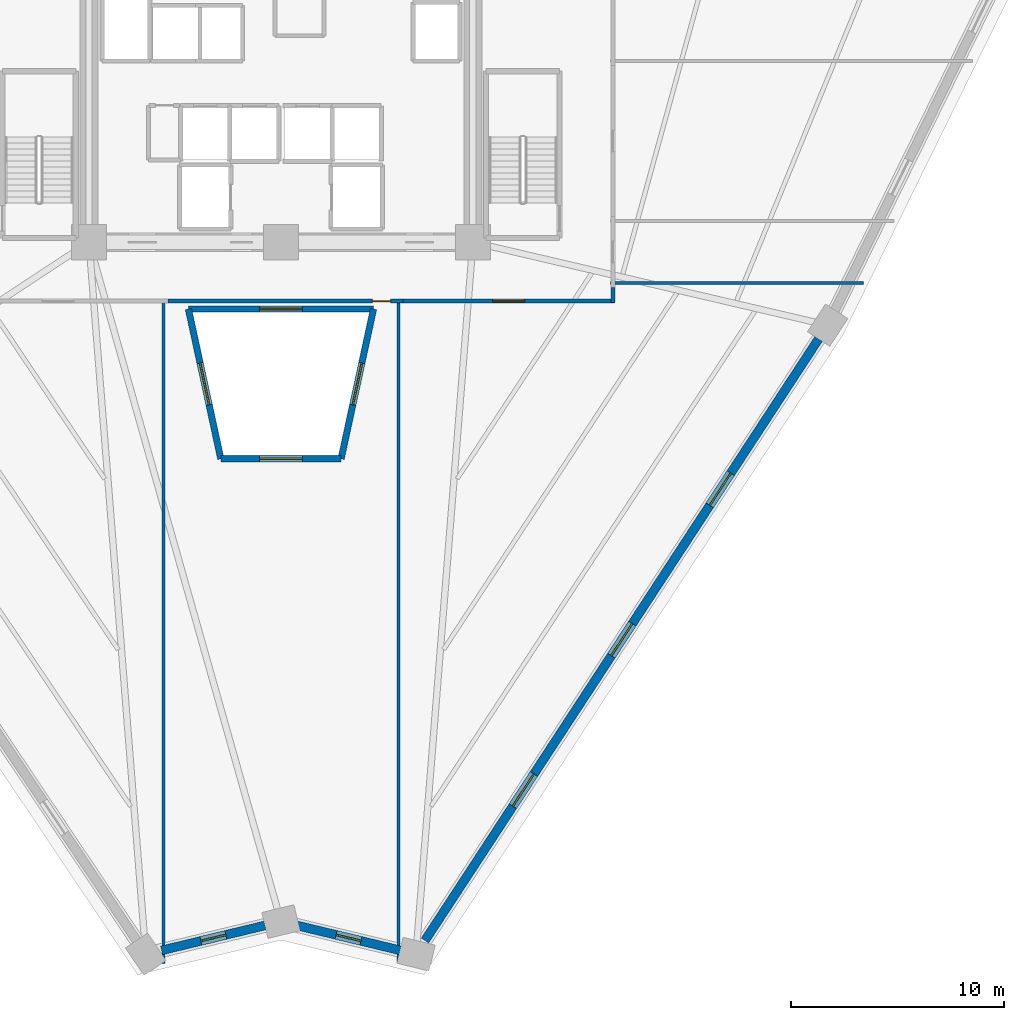
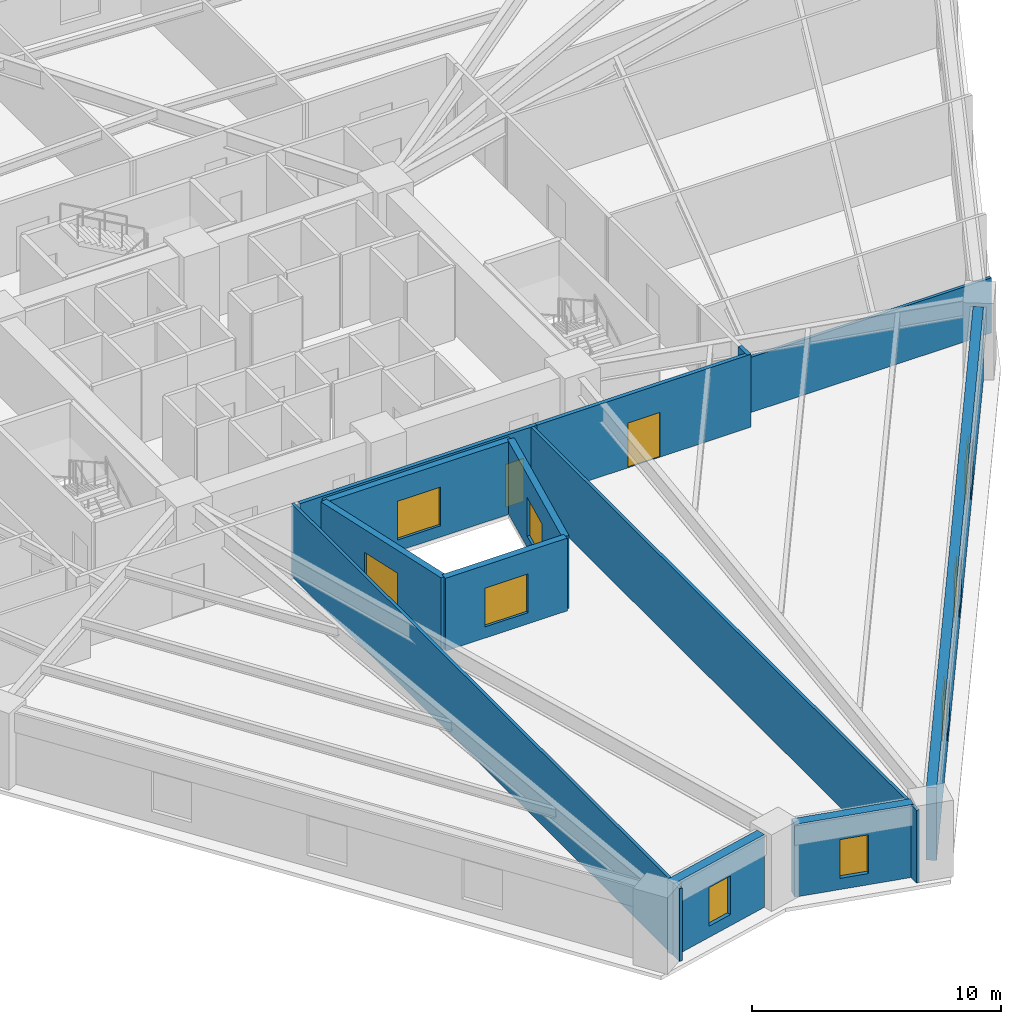
# One storey, part 3 of 9: 13 walls, 9 windows, 2 doors, 11 openings.
"""IFC4 building model written with IfcOpenShell, lengths in metres."""

from ifc_helpers import new_model, si_unit, direction, frame, frame_2d, origin, place, context, subcontext, project, spatial, rectangle, extrude, source, transform, mapped, material, layer, layer_set, type_object, element, fill, save


model = new_model("IFC4")

# Units and contexts
model_context = context("Model", 3, precision=1e-05, world=origin(), true_north=direction((0.0, 1.0)))
body_context = subcontext(model_context, "Body", "Model", "MODEL_VIEW")
ifc_project = project(units=[si_unit("LENGTHUNIT", "METRE"), si_unit("AREAUNIT", "SQUARE_METRE"), si_unit("VOLUMEUNIT", "CUBIC_METRE"), si_unit("PLANEANGLEUNIT", "RADIAN"), si_unit("MASSUNIT", "GRAM", prefix="KILO")], contexts=[model_context])

# Site, building, storey
site_placement = place(None, origin())
site = spatial("IfcSite", under=ifc_project, at=site_placement, CompositionType="ELEMENT")
building_placement = place(site_placement, origin())
building = spatial("IfcBuilding", under=site, at=building_placement, Name="Liaohun Quay Tower", CompositionType="ELEMENT")
storey_placement = place(building_placement, frame((0.0, 0.0, 55.5)))
storey = spatial("IfcBuildingStorey", under=building, at=storey_placement, Name="L14", CompositionType="ELEMENT", Elevation=55.5)

# Wall, opening, window
ifc_material_1 = material(Name="Concrete C50", Category="concrete")
ifc_layer_1 = layer(ifc_material_1, 0.300048828125, Name="Concrete C50", Category="concrete")
ifc_layer_set_1 = layer_set([ifc_layer_1], Name="Concrete C50")
wall_type_1 = type_object("IfcWallType", Name="WAL-ATR-300", PredefinedType="SOLIDWALL", material=ifc_layer_set_1)
wall_1_placement = place(storey_placement, frame((57.178955078125, 36.345947265625, 0.0), z_axis=(0.0, 0.0, 1.0), x_axis=(-0.211373141383, 0.977405440491, 0.0)))
wall_1 = element("IfcWall", 1, at=wall_1_placement, inside=storey, type_object=wall_type_1, Name="L14 Atrium Fire Compartment Wall 1", PredefinedType="SOLIDWALL", context=body_context, shape_type="SweptSolid", body=[
    extrude(rectangle(XDim=7.1865234375, YDim=0.300048828125, at=frame_2d((3.59326171875, 0.0))), origin(), (0.0, 0.0, 1.0), 3.570068359375),
])
shared_shape_1 = source(origin(), body_context, "Body", "SweptSolid", [
    extrude(rectangle(XDim=2.0, YDim=1.89990234375, at=frame_2d((1.0, 0.949951171875))), frame((0.0, 0.159912109375, 0.0), z_axis=(0.0, -1.0, 0.0), x_axis=(1.0, 0.0, 0.0)), (0.0, 0.0, 1.0), 0.320068359375),
])
opening_1_placement = place(wall_1_placement, frame((2.593017578125, 0.0, 0.550048828125)))
opening_1 = element("IfcOpeningElement", 2, at=opening_1_placement, cuts=wall_1, Name="Opening W07", PredefinedType="OPENING", context=body_context, shape_type="MappedRepresentation", body=[
    mapped(shared_shape_1, transform((0.0, 0.0, 0.0), x_axis=(1.0, 0.0, 0.0), y_axis=(0.0, 1.0, 0.0), z_axis=(0.0, 0.0, 1.0), scale=1.0)),
])
ifc_material_2 = material(Name="Class A 180-min fire-resistant insulated glazing", Category="glass")
window_type_1 = type_object("IfcWindowType", Name="WIN-ATR-FIR", PartitioningType="DOUBLE_PANEL_VERTICAL", PredefinedType="WINDOW", material=ifc_material_2)
shared_shape_2 = source(origin(), body_context, "Body", "SweptSolid", [
    extrude(rectangle(XDim=2.0, YDim=1.89990234375, at=frame_2d((1.0, 0.949951171875))), frame((0.0, 0.030029296875, 0.0), z_axis=(0.0, -1.0, 0.0), x_axis=(1.0, 0.0, 0.0)), (0.0, 0.0, 1.0), 0.06005859375),
])
window_1_placement = place(opening_1_placement, origin())
window_1 = element("IfcWindow", 3, at=window_1_placement, inside=storey, type_object=window_type_1, Name="L14 Atrium Fire-Resistant Glazing W07-1", OverallHeight=1.89990234375, OverallWidth=2.0, PartitioningType="DOUBLE_PANEL_VERTICAL", PredefinedType="WINDOW", context=body_context, shape_type="MappedRepresentation", body=[
    mapped(shared_shape_2, transform((0.0, 0.0, 0.0), x_axis=(1.0, 0.0, 0.0), y_axis=(0.0, 1.0, 0.0), z_axis=(0.0, 0.0, 1.0), scale=1.0)),
])
fill(opening_1, window_1)

wall_2_placement = place(storey_placement, frame((55.659912109375, 43.3701171875, 0.0), z_axis=(0.0, 0.0, 1.0), x_axis=(1.0, 0.0, 0.0)))
wall_2 = element("IfcWall", 4, at=wall_2_placement, inside=storey, type_object=wall_type_1, Name="L14 Atrium Fire Compartment Wall 2", PredefinedType="SOLIDWALL", context=body_context, shape_type="SweptSolid", body=[
    extrude(rectangle(XDim=8.68017578125, YDim=0.300048828125, at=frame_2d((4.340087890625, 0.0))), origin(), (0.0, 0.0, 1.0), 3.570068359375),
])
opening_2_placement = place(wall_2_placement, frame((3.340087890625, 0.0, 0.550048828125)))
opening_2 = element("IfcOpeningElement", 5, at=opening_2_placement, cuts=wall_2, Name="Opening W07", PredefinedType="OPENING", context=body_context, shape_type="MappedRepresentation", body=[
    mapped(shared_shape_1, transform((0.0, 0.0, 0.0), x_axis=(1.0, 0.0, 0.0), y_axis=(0.0, 1.0, 0.0), z_axis=(0.0, 0.0, 1.0), scale=1.0)),
])
window_2_placement = place(opening_2_placement, origin())
window_2 = element("IfcWindow", 6, at=window_2_placement, inside=storey, type_object=window_type_1, Name="L14 Atrium Fire-Resistant Glazing W07-2", OverallHeight=1.89990234375, OverallWidth=2.0, PartitioningType="DOUBLE_PANEL_VERTICAL", PredefinedType="WINDOW", context=body_context, shape_type="MappedRepresentation", body=[
    mapped(shared_shape_2, transform((0.0, 0.0, 0.0), x_axis=(1.0, 0.0, 0.0), y_axis=(0.0, 1.0, 0.0), z_axis=(0.0, 0.0, 1.0), scale=1.0)),
])
fill(opening_2, window_2)

wall_3_placement = place(storey_placement, frame((64.340087890625, 43.3701171875, 0.0), z_axis=(0.0, 0.0, 1.0), x_axis=(-0.211373141383, -0.977405440491, 0.0)))
wall_3 = element("IfcWall", 7, at=wall_3_placement, inside=storey, type_object=wall_type_1, Name="L14 Atrium Fire Compartment Wall 3", PredefinedType="SOLIDWALL", context=body_context, shape_type="SweptSolid", body=[
    extrude(rectangle(XDim=7.1865234375, YDim=0.300048828125, at=frame_2d((3.59326171875, 0.0))), origin(), (0.0, 0.0, 1.0), 3.570068359375),
])
opening_3_placement = place(wall_3_placement, frame((2.593017578125, 0.0, 0.550048828125)))
opening_3 = element("IfcOpeningElement", 8, at=opening_3_placement, cuts=wall_3, Name="Opening W07", PredefinedType="OPENING", context=body_context, shape_type="MappedRepresentation", body=[
    mapped(shared_shape_1, transform((0.0, 0.0, 0.0), x_axis=(1.0, 0.0, 0.0), y_axis=(0.0, 1.0, 0.0), z_axis=(0.0, 0.0, 1.0), scale=1.0)),
])
window_3_placement = place(opening_3_placement, origin())
window_3 = element("IfcWindow", 9, at=window_3_placement, inside=storey, type_object=window_type_1, Name="L14 Atrium Fire-Resistant Glazing W07-3", OverallHeight=1.89990234375, OverallWidth=2.0, PartitioningType="DOUBLE_PANEL_VERTICAL", PredefinedType="WINDOW", context=body_context, shape_type="MappedRepresentation", body=[
    mapped(shared_shape_2, transform((0.0, 0.0, 0.0), x_axis=(1.0, 0.0, 0.0), y_axis=(0.0, 1.0, 0.0), z_axis=(0.0, 0.0, 1.0), scale=1.0)),
])
fill(opening_3, window_3)

wall_4_placement = place(storey_placement, frame((62.821044921875, 36.345947265625, 0.0), z_axis=(0.0, 0.0, 1.0), x_axis=(-1.0, 0.0, 0.0)))
wall_4 = element("IfcWall", 10, at=wall_4_placement, inside=storey, type_object=wall_type_1, Name="L14 Atrium Fire Compartment Wall 4", PredefinedType="SOLIDWALL", context=body_context, shape_type="SweptSolid", body=[
    extrude(rectangle(XDim=5.64208984375, YDim=0.300048828125, at=frame_2d((2.821044921875, 0.0))), origin(), (0.0, 0.0, 1.0), 3.570068359375),
])
opening_4_placement = place(wall_4_placement, frame((1.821044921875, 0.0, 0.550048828125)))
opening_4 = element("IfcOpeningElement", 11, at=opening_4_placement, cuts=wall_4, Name="Opening W07", PredefinedType="OPENING", context=body_context, shape_type="MappedRepresentation", body=[
    mapped(shared_shape_1, transform((0.0, 0.0, 0.0), x_axis=(1.0, 0.0, 0.0), y_axis=(0.0, 1.0, 0.0), z_axis=(0.0, 0.0, 1.0), scale=1.0)),
])
window_4_placement = place(opening_4_placement, origin())
window_4 = element("IfcWindow", 12, at=window_4_placement, inside=storey, type_object=window_type_1, Name="L14 Atrium Fire-Resistant Glazing W07-4", OverallHeight=1.89990234375, OverallWidth=2.0, PartitioningType="DOUBLE_PANEL_VERTICAL", PredefinedType="WINDOW", context=body_context, shape_type="MappedRepresentation", body=[
    mapped(shared_shape_2, transform((0.0, 0.0, 0.0), x_axis=(1.0, 0.0, 0.0), y_axis=(0.0, 1.0, 0.0), z_axis=(0.0, 0.0, 1.0), scale=1.0)),
])
fill(opening_4, window_4)

ifc_material_3 = material(Name="Precast concrete C50 insulated sandwich", Category="concrete")
ifc_layer_2 = layer(ifc_material_3, 0.419921875, Name="Precast concrete C50 insulated sandwich", Category="concrete")
ifc_layer_set_2 = layer_set([ifc_layer_2], Name="Precast concrete C50 insulated sandwich")
wall_type_2 = type_object("IfcWallType", Name="WAL-EXT-Z12", PredefinedType="SOLIDWALL", material=ifc_layer_set_2)
wall_5_placement = place(storey_placement, frame((60.743896484375, 14.471923828125, 0.0), z_axis=(0.0, 0.0, 1.0), x_axis=(0.972095694159, -0.234584657207, 0.0)))
wall_5 = element("IfcWall", 13, at=wall_5_placement, inside=storey, type_object=wall_type_2, Name="L14 Brutalist Precast Pier Wall 01", PredefinedType="SOLIDWALL", context=body_context, shape_type="SweptSolid", body=[
    extrude(rectangle(XDim=4.983154296875, YDim=0.419921875, at=frame_2d((2.49169921875, 0.0))), origin(), (0.0, 0.0, 1.0), 3.570068359375),
])
shared_shape_3 = source(origin(), body_context, "Body", "SweptSolid", [
    extrude(rectangle(XDim=1.199951171875, YDim=1.89990234375, at=frame_2d((0.60009765625, 0.949951171875))), frame((0.0, 0.219970703125, 0.0), z_axis=(0.0, -1.0, 0.0), x_axis=(1.0, 0.0, 0.0)), (0.0, 0.0, 1.0), 0.43994140625),
])
opening_5_placement = place(wall_5_placement, frame((1.89208984375, 0.0, 0.550048828125)))
opening_5 = element("IfcOpeningElement", 14, at=opening_5_placement, cuts=wall_5, Name="Opening W05", PredefinedType="OPENING", context=body_context, shape_type="MappedRepresentation", body=[
    mapped(shared_shape_3, transform((0.0, 0.0, 0.0), x_axis=(1.0, 0.0, 0.0), y_axis=(0.0, 1.0, 0.0), z_axis=(0.0, 0.0, 1.0), scale=1.0)),
])
ifc_material_4 = material(Name="Triple Low-E corner notch glazing", Category="glass")
window_type_2 = type_object("IfcWindowType", Name="WIN-NOTCH", PartitioningType="SINGLE_PANEL", PredefinedType="WINDOW", material=ifc_material_4)
shared_shape_4 = source(origin(), body_context, "Body", "SweptSolid", [
    extrude(rectangle(XDim=1.199951171875, YDim=1.89990234375, at=frame_2d((0.60009765625, 0.949951171875))), frame((0.0, 0.030029296875, 0.0), z_axis=(0.0, -1.0, 0.0), x_axis=(1.0, 0.0, 0.0)), (0.0, 0.0, 1.0), 0.06005859375),
])
window_5_placement = place(opening_5_placement, origin())
window_5 = element("IfcWindow", 15, at=window_5_placement, inside=storey, type_object=window_type_2, Name="L14 Corner Notch Window W05-01", OverallHeight=1.89990234375, OverallWidth=1.199951171875, PartitioningType="SINGLE_PANEL", PredefinedType="WINDOW", context=body_context, shape_type="MappedRepresentation", body=[
    mapped(shared_shape_4, transform((0.0, 0.0, 0.0), x_axis=(1.0, 0.0, 0.0), y_axis=(0.0, 1.0, 0.0), z_axis=(0.0, 0.0, 1.0), scale=1.0)),
])
fill(opening_5, window_5)

# Wall, openings, windows
wall_6_placement = place(storey_placement, frame((66.7509765625, 13.762939453125, 0.0), z_axis=(0.0, 0.0, 1.0), x_axis=(0.547544136791, 0.836776803135, 0.0)))
wall_6 = element("IfcWall", 16, at=wall_6_placement, inside=storey, type_object=wall_type_2, Name="L14 Brutalist Precast Pier Wall 02", PredefinedType="SOLIDWALL", context=body_context, shape_type="SweptSolid", body=[
    extrude(rectangle(XDim=33.714111328125, YDim=0.419921875, at=frame_2d((16.85693359375, 0.0))), origin(), (0.0, 0.0, 1.0), 3.570068359375),
])
shared_shape_5 = source(origin(), body_context, "Body", "SweptSolid", [
    extrude(rectangle(XDim=1.800048828125, YDim=1.949951171875, at=frame_2d((0.89990234375, 0.97509765625))), frame((0.0, 0.219970703125, 0.0), z_axis=(0.0, -1.0, 0.0), x_axis=(1.0, 0.0, 0.0)), (0.0, 0.0, 1.0), 0.43994140625),
])
opening_6_placement = place(wall_6_placement, frame((7.528076171875, 0.0, 0.550048828125)))
opening_6 = element("IfcOpeningElement", 17, at=opening_6_placement, cuts=wall_6, Name="Opening W01", PredefinedType="OPENING", context=body_context, shape_type="MappedRepresentation", body=[
    mapped(shared_shape_5, transform((0.0, 0.0, 0.0), x_axis=(1.0, 0.0, 0.0), y_axis=(0.0, 1.0, 0.0), z_axis=(0.0, 0.0, 1.0), scale=1.0)),
])
opening_7_placement = place(wall_6_placement, frame((15.95703125, 0.0, 0.550048828125)))
opening_7 = element("IfcOpeningElement", 18, at=opening_7_placement, cuts=wall_6, Name="Opening W01", PredefinedType="OPENING", context=body_context, shape_type="MappedRepresentation", body=[
    mapped(shared_shape_5, transform((0.0, 0.0, 0.0), x_axis=(1.0, 0.0, 0.0), y_axis=(0.0, 1.0, 0.0), z_axis=(0.0, 0.0, 1.0), scale=1.0)),
])
opening_8_placement = place(wall_6_placement, frame((24.385009765625, 0.0, 0.550048828125)))
opening_8 = element("IfcOpeningElement", 19, at=opening_8_placement, cuts=wall_6, Name="Opening W01", PredefinedType="OPENING", context=body_context, shape_type="MappedRepresentation", body=[
    mapped(shared_shape_5, transform((0.0, 0.0, 0.0), x_axis=(1.0, 0.0, 0.0), y_axis=(0.0, 1.0, 0.0), z_axis=(0.0, 0.0, 1.0), scale=1.0)),
])
ifc_material_5 = material(Name="Triple Low-E argon glazing in thermally broken aluminium", Category="aluminium")
window_type_3 = type_object("IfcWindowType", Name="WIN-PUN-Z1", PartitioningType="DOUBLE_PANEL_VERTICAL", PredefinedType="WINDOW", material=ifc_material_5)
shared_shape_6 = source(origin(), body_context, "Body", "SweptSolid", [
    extrude(rectangle(XDim=1.800048828125, YDim=1.949951171875, at=frame_2d((0.89990234375, 0.97509765625))), frame((0.0, 0.030029296875, 0.0), z_axis=(0.0, -1.0, 0.0), x_axis=(1.0, 0.0, 0.0)), (0.0, 0.0, 1.0), 0.06005859375),
])
window_6_placement = place(opening_6_placement, origin())
window_6 = element("IfcWindow", 20, at=window_6_placement, inside=storey, type_object=window_type_3, Name="L14 Recessed Cold-Climate Punched Window 02-1", OverallHeight=1.949951171875, OverallWidth=1.800048828125, PartitioningType="DOUBLE_PANEL_VERTICAL", PredefinedType="WINDOW", context=body_context, shape_type="MappedRepresentation", body=[
    mapped(shared_shape_6, transform((0.0, 0.0, 0.0), x_axis=(1.0, 0.0, 0.0), y_axis=(0.0, 1.0, 0.0), z_axis=(0.0, 0.0, 1.0), scale=1.0)),
])
fill(opening_6, window_6)
window_7_placement = place(opening_7_placement, origin())
window_7 = element("IfcWindow", 21, at=window_7_placement, inside=storey, type_object=window_type_3, Name="L14 Recessed Cold-Climate Punched Window 02-2", OverallHeight=1.949951171875, OverallWidth=1.800048828125, PartitioningType="DOUBLE_PANEL_VERTICAL", PredefinedType="WINDOW", context=body_context, shape_type="MappedRepresentation", body=[
    mapped(shared_shape_6, transform((0.0, 0.0, 0.0), x_axis=(1.0, 0.0, 0.0), y_axis=(0.0, 1.0, 0.0), z_axis=(0.0, 0.0, 1.0), scale=1.0)),
])
fill(opening_7, window_7)
window_8_placement = place(opening_8_placement, origin())
window_8 = element("IfcWindow", 22, at=window_8_placement, inside=storey, type_object=window_type_3, Name="L14 Recessed Cold-Climate Punched Window 02-3", OverallHeight=1.949951171875, OverallWidth=1.800048828125, PartitioningType="DOUBLE_PANEL_VERTICAL", PredefinedType="WINDOW", context=body_context, shape_type="MappedRepresentation", body=[
    mapped(shared_shape_6, transform((0.0, 0.0, 0.0), x_axis=(1.0, 0.0, 0.0), y_axis=(0.0, 1.0, 0.0), z_axis=(0.0, 0.0, 1.0), scale=1.0)),
])
fill(opening_8, window_8)

# Wall, opening, window
wall_7_placement = place(storey_placement, frame((54.405029296875, 13.301025390625, 0.0), z_axis=(0.0, 0.0, 1.0), x_axis=(0.972084517215, 0.234630968524, 0.0)))
wall_7 = element("IfcWall", 23, at=wall_7_placement, inside=storey, type_object=wall_type_2, Name="L14 Brutalist Precast Pier Wall 12", PredefinedType="SOLIDWALL", context=body_context, shape_type="SweptSolid", body=[
    extrude(rectangle(XDim=4.990478515625, YDim=0.419921875, at=frame_2d((2.4951171875, 0.0))), origin(), (0.0, 0.0, 1.0), 3.570068359375),
])
opening_9_placement = place(wall_7_placement, frame((1.89501953125, 0.0, 0.550048828125)))
opening_9 = element("IfcOpeningElement", 24, at=opening_9_placement, cuts=wall_7, Name="Opening W05", PredefinedType="OPENING", context=body_context, shape_type="MappedRepresentation", body=[
    mapped(shared_shape_3, transform((0.0, 0.0, 0.0), x_axis=(1.0, 0.0, 0.0), y_axis=(0.0, 1.0, 0.0), z_axis=(0.0, 0.0, 1.0), scale=1.0)),
])
window_9_placement = place(opening_9_placement, origin())
window_9 = element("IfcWindow", 25, at=window_9_placement, inside=storey, type_object=window_type_2, Name="L14 Corner Notch Window W05-12", OverallHeight=1.89990234375, OverallWidth=1.199951171875, PartitioningType="SINGLE_PANEL", PredefinedType="WINDOW", context=body_context, shape_type="MappedRepresentation", body=[
    mapped(shared_shape_4, transform((0.0, 0.0, 0.0), x_axis=(1.0, 0.0, 0.0), y_axis=(0.0, 1.0, 0.0), z_axis=(0.0, 0.0, 1.0), scale=1.0)),
])
fill(opening_9, window_9)

# Wall, opening, door
ifc_material_6 = material(Name="Autoclaved aerated concrete blockwork", Category="masonry")
ifc_layer_3 = layer(ifc_material_6, 0.179931640625, Name="Autoclaved aerated concrete blockwork", Category="masonry")
ifc_layer_set_3 = layer_set([ifc_layer_3], Name="Autoclaved aerated concrete blockwork")
wall_type_3 = type_object("IfcWallType", Name="WAL-PRT-COR", PredefinedType="PARTITIONING", material=ifc_layer_set_3)
wall_8_placement = place(storey_placement, frame((65.715087890625, 43.739990234375, 0.0), z_axis=(0.0, 0.0, 1.0), x_axis=(-1.0, 0.0, 0.0)))
wall_8 = element("IfcWall", 26, at=wall_8_placement, inside=storey, type_object=wall_type_3, Name="L14 Interior Partition Wall 020", PredefinedType="PARTITIONING", context=body_context, shape_type="SweptSolid", body=[
    extrude(rectangle(XDim=11.0, YDim=0.179931640625, at=frame_2d((5.5, 0.0))), origin(), (0.0, 0.0, 1.0), 3.570068359375),
])
shared_shape_7 = source(origin(), body_context, "Body", "SweptSolid", [
    extrude(rectangle(XDim=0.85009765625, YDim=2.10009765625, at=frame_2d((0.425048828125, 1.050048828125))), frame((0.0, 0.099853515625, 0.0), z_axis=(0.0, -1.0, 0.0), x_axis=(1.0, 0.0, 0.0)), (0.0, 0.0, 1.0), 0.199951171875),
])
opening_10_placement = place(wall_8_placement, frame((0.574951171875, 0.0, 0.0)))
opening_10 = element("IfcOpeningElement", 27, at=opening_10_placement, cuts=wall_8, Name="Opening AD1", PredefinedType="OPENING", context=body_context, shape_type="MappedRepresentation", body=[
    mapped(shared_shape_7, transform((0.0, 0.0, 0.0), x_axis=(1.0, 0.0, 0.0), y_axis=(0.0, 1.0, 0.0), z_axis=(0.0, 0.0, 1.0), scale=1.0)),
])
ifc_material_7 = material(Name="Steel riser inspection fire door", Category="steel")
door_type_1 = type_object("IfcDoorType", Name="DOR-SHF-850", OperationType="NOTDEFINED", PredefinedType="DOOR", material=ifc_material_7)
shared_shape_8 = source(origin(), body_context, "Body", "SweptSolid", [
    extrude(rectangle(XDim=0.85009765625, YDim=2.10009765625, at=frame_2d((0.425048828125, 1.050048828125))), frame((0.0, 0.02490234375, 0.0), z_axis=(0.0, -1.0, 0.0), x_axis=(1.0, 0.0, 0.0)), (0.0, 0.0, 1.0), 0.050048828125),
])
door_1_placement = place(opening_10_placement, origin())
door_1 = element("IfcDoor", 28, at=door_1_placement, inside=storey, type_object=door_type_1, Name="L14 Executive Partner Office 11 Door", OperationType="SINGLE_SWING_RIGHT", OverallHeight=2.10009765625, OverallWidth=0.85009765625, PredefinedType="DOOR", context=body_context, shape_type="MappedRepresentation", body=[
    mapped(shared_shape_8, transform((0.0, 0.0, 0.0), x_axis=(1.0, 0.0, 0.0), y_axis=(0.0, 1.0, 0.0), z_axis=(0.0, 0.0, 1.0), scale=1.0)),
])
fill(opening_10, door_1)

wall_9_placement = place(storey_placement, frame((75.6298828125, 43.739990234375, 0.0), z_axis=(0.0, 0.0, 1.0), x_axis=(-1.0, 0.0, 0.0)))
wall_9 = element("IfcWall", 29, at=wall_9_placement, inside=storey, type_object=wall_type_3, Name="L14 Interior Partition Wall 021", PredefinedType="PARTITIONING", context=body_context, shape_type="SweptSolid", body=[
    extrude(rectangle(XDim=9.914794921875, YDim=0.179931640625, at=frame_2d((4.95751953125, 0.0))), origin(), (0.0, 0.0, 1.0), 3.570068359375),
])
shared_shape_9 = source(origin(), body_context, "Body", "SweptSolid", [
    extrude(rectangle(XDim=1.5, YDim=2.199951171875, at=frame_2d((0.75, 1.10009765625))), frame((0.0, 0.099853515625, 0.0), z_axis=(0.0, -1.0, 0.0), x_axis=(1.0, 0.0, 0.0)), (0.0, 0.0, 1.0), 0.199951171875),
])
opening_11_placement = place(wall_9_placement, frame((4.20703125, 0.0, 0.0)))
opening_11 = element("IfcOpeningElement", 30, at=opening_11_placement, cuts=wall_9, Name="Opening OD2", PredefinedType="OPENING", context=body_context, shape_type="MappedRepresentation", body=[
    mapped(shared_shape_9, transform((0.0, 0.0, 0.0), x_axis=(1.0, 0.0, 0.0), y_axis=(0.0, 1.0, 0.0), z_axis=(0.0, 0.0, 1.0), scale=1.0)),
])
ifc_material_8 = material(Name="Acoustic oak veneer double door")
door_type_2 = type_object("IfcDoorType", Name="DOR-OFF-1500", OperationType="DOUBLE_DOOR_SINGLE_SWING", PredefinedType="DOOR", material=ifc_material_8)
shared_shape_10 = source(origin(), body_context, "Body", "SweptSolid", [
    extrude(rectangle(XDim=1.5, YDim=2.199951171875, at=frame_2d((0.75, 1.10009765625))), frame((0.0, 0.02490234375, 0.0), z_axis=(0.0, -1.0, 0.0), x_axis=(1.0, 0.0, 0.0)), (0.0, 0.0, 1.0), 0.050048828125),
])
door_2_placement = place(opening_11_placement, origin())
door_2 = element("IfcDoor", 31, at=door_2_placement, inside=storey, type_object=door_type_2, Name="L14 Client Reception Office 12 Door", OperationType="DOUBLE_DOOR_SINGLE_SWING", OverallHeight=2.199951171875, OverallWidth=1.5, PredefinedType="DOOR", context=body_context, shape_type="MappedRepresentation", body=[
    mapped(shared_shape_10, transform((0.0, 0.0, 0.0), x_axis=(1.0, 0.0, 0.0), y_axis=(0.0, 1.0, 0.0), z_axis=(0.0, 0.0, 1.0), scale=1.0)),
])
fill(opening_11, door_2)

# Walls
wall_10_placement = place(storey_placement, frame((75.56005859375, 44.385009765625, 0.0), z_axis=(0.0, 0.0, 1.0), x_axis=(0.0, -1.0, 0.0)))
element("IfcWall", 32, at=wall_10_placement, inside=storey, type_object=wall_type_3, Name="L14 Interior Partition Wall 040", PredefinedType="PARTITIONING", context=body_context, shape_type="SweptSolid", body=[
    extrude(rectangle(XDim=0.715087890625, YDim=0.179931640625, at=frame_2d((0.357421875, 0.0))), origin(), (0.0, 0.0, 1.0), 3.570068359375),
])
ifc_material_9 = material(Name="Gypsum board on twin steel studs", Category="steel")
ifc_layer_4 = layer(ifc_material_9, 0.139892578125, Name="Gypsum board on twin steel studs", Category="steel")
ifc_layer_set_4 = layer_set([ifc_layer_4], Name="Gypsum board on twin steel studs")
wall_type_4 = type_object("IfcWallType", Name="WAL-PRT-OFF", PredefinedType="PARTITIONING", material=ifc_layer_set_4)
wall_11_placement = place(storey_placement, frame((75.4599609375, 44.60009765625, 0.0), z_axis=(0.0, 0.0, 1.0), x_axis=(1.0, 0.0, 0.0)))
element("IfcWall", 33, at=wall_11_placement, inside=storey, type_object=wall_type_4, Name="L14 Interior Partition Wall 046", PredefinedType="PARTITIONING", context=body_context, shape_type="SweptSolid", body=[
    extrude(rectangle(XDim=11.84814453125, YDim=0.139892578125, at=frame_2d((5.924072265625, 0.0))), origin(), (0.0, 0.0, 1.0), 2.705078125),
])
for number, where, z_axis, x_axis, name in (
    (34, (54.5, 43.840087890625, 0.0), (0.0, 0.0, 1.0), (0.0, -1.0, 0.0), "L14 Interior Partition Wall 054"),
    (35, (65.5, 43.840087890625, 0.0), (0.0, 0.0, 1.0), (0.0, -1.0, 0.0), "L14 Interior Partition Wall 055"),
):
    element("IfcWall", number, at=place(storey_placement, frame(where, z_axis=z_axis, x_axis=x_axis)), inside=storey, type_object=wall_type_4, Name=name, PredefinedType="PARTITIONING", context=body_context, shape_type="SweptSolid", body=[
        extrude(rectangle(XDim=31.1640625, YDim=0.139892578125, at=frame_2d((15.58203125, 0.0))), origin(), (0.0, 0.0, 1.0), 3.570068359375),
    ])

save(model, "model.ifc")
